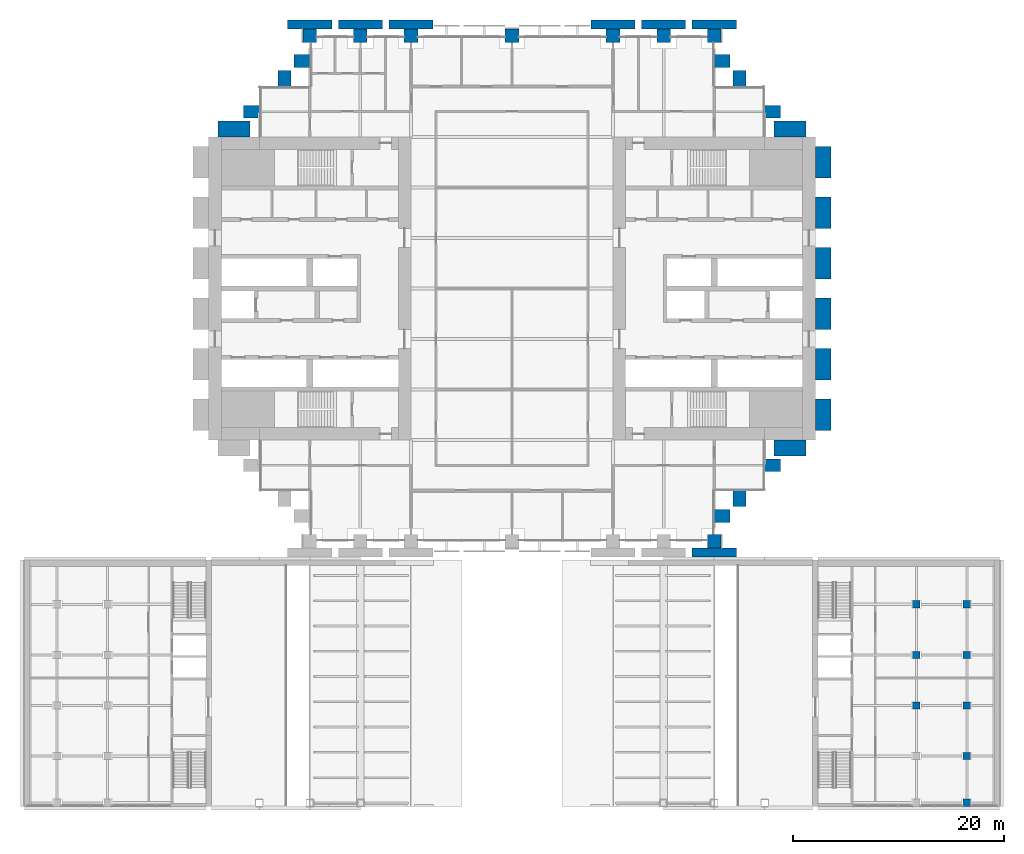
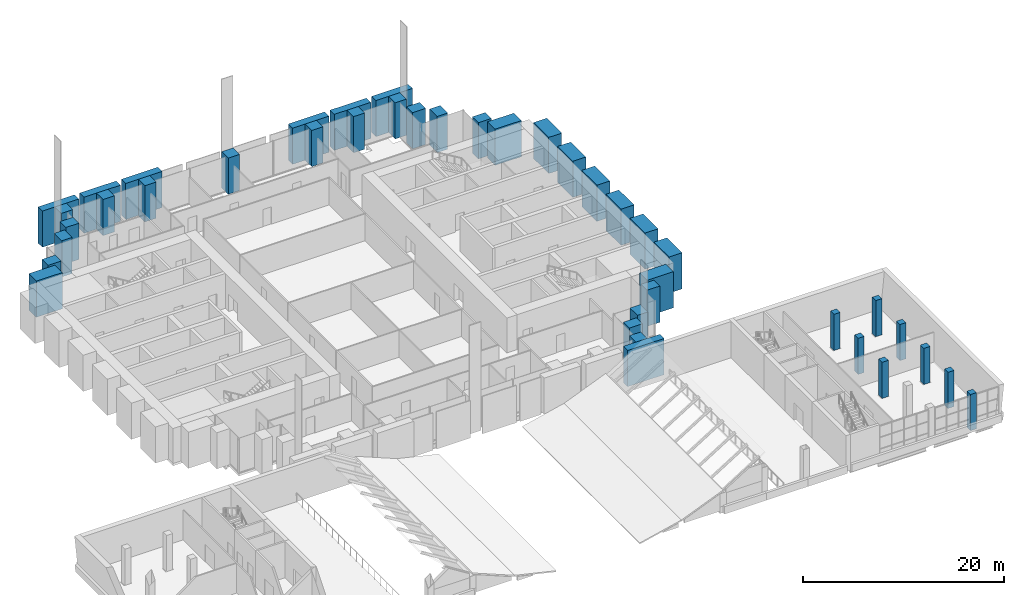
# One storey, part 2 of 32: 41 columns.
"""IFC4 building model written with IfcOpenShell, lengths in metres."""

from ifc_helpers import new_model, si_unit, direction, frame, origin, origin_2d, place, context, subcontext, project, spatial, rectangle, extrude, material, material_profile, profile_set, type_object, element, save


model = new_model("IFC4")

# Units and contexts
model_context = context("Model", 3, precision=1e-05, world=origin(), true_north=direction((0.0, 1.0)))
body_context = subcontext(model_context, "Body", "Model", "MODEL_VIEW")
ifc_project = project(units=[si_unit("LENGTHUNIT", "METRE"), si_unit("AREAUNIT", "SQUARE_METRE"), si_unit("VOLUMEUNIT", "CUBIC_METRE"), si_unit("PLANEANGLEUNIT", "RADIAN"), si_unit("MASSUNIT", "GRAM", prefix="KILO")], contexts=[model_context])

# Site, building, storey
site_placement = place(None, origin())
site = spatial("IfcSite", under=ifc_project, at=site_placement, CompositionType="ELEMENT")
building_placement = place(site_placement, origin())
building = spatial("IfcBuilding", under=site, at=building_placement, Name="Baori Bourse Tower", CompositionType="ELEMENT")
storey_placement = place(building_placement, frame((0.0, 0.0, 12.60009765625)))
storey = spatial("IfcBuildingStorey", under=building, at=storey_placement, Name="L01", CompositionType="ELEMENT", Elevation=12.60009765625)

# Columns
ifc_material_1 = material(Name="Concrete f'c 60 MPa", Category="concrete")
ifc_material_profile_1 = material_profile(ifc_material_1, rectangle(XDim=1.199951171875, YDim=1.5, at=origin_2d()), Name="RC 1200x1500")
ifc_profile_set_1 = profile_set([ifc_material_profile_1], Name="Concrete f'c 60 MPa")
column_type_1 = type_object("IfcColumnType", Name="FN2 Brick pilaster", PredefinedType="PILASTER", material=ifc_profile_set_1)
for number, where, z_axis, x_axis, name in (
    (1, (53.550048828125, 40.800048828125, 0.0), (0.0, 0.0, 1.0), (0.0, 1.0, 0.0), "Brick pilaster L01 1"),
    (2, (50.39990234375, 43.949951171875, 0.0), (0.0, 0.0, 1.0), (1.0, 0.0, 0.0), "Brick pilaster L01 2"),
    (3, (48.75, 45.60009765625, 0.0), (0.0, 0.0, 1.0), (0.0, 1.0, 0.0), "Brick pilaster L01 3"),
    (4, (8.85009765625, 45.60009765625, 0.0), (0.0, 0.0, 1.0), (0.0, 1.0, 0.0), "Brick pilaster L01 4"),
    (5, (7.199951171875, 43.949951171875, 0.0), (0.0, 0.0, 1.0), (1.0, 0.0, 0.0), "Brick pilaster L01 5"),
    (6, (4.050048828125, 40.800048828125, 0.0), (0.0, 0.0, 1.0), (0.0, 1.0, 0.0), "Brick pilaster L01 6"),
    (7, (48.75, 2.39990234375, 0.0), (0.0, 0.0, 1.0), (0.0, 1.0, 0.0), "Brick pilaster L01 10"),
    (8, (50.39990234375, 4.050048828125, 0.0), (0.0, 0.0, 1.0), (1.0, 0.0, 0.0), "Brick pilaster L01 11"),
    (9, (53.550048828125, 7.199951171875, 0.0), (0.0, 0.0, 1.0), (0.0, 1.0, 0.0), "Brick pilaster L01 12"),
):
    element("IfcColumn", number, at=place(storey_placement, frame(where, z_axis=z_axis, x_axis=x_axis)), inside=storey, type_object=column_type_1, Name=name, PredefinedType="PILASTER", context=body_context, shape_type="SweptSolid", body=[
        extrude(rectangle(XDim=1.199951171875, YDim=1.5, at=origin_2d()), origin(), (0.0, 0.0, 1.0), 4.39990234375),
    ])
ifc_material_2 = material(Name="Concrete f'c 60 MPa", Category="concrete")
ifc_material_profile_2 = material_profile(ifc_material_2, rectangle(XDim=4.199951171875, YDim=0.85009765625, at=origin_2d()), Name="RC 4200x850")
ifc_profile_set_2 = profile_set([ifc_material_profile_2], Name="Concrete f'c 60 MPa")
column_type_2 = type_object("IfcColumnType", Name="FN3 Brick pilaster 4200x850", PredefinedType="PILASTER", material=ifc_profile_set_2)
for number, where, z_axis, x_axis, name in (
    (10, (48.0, -1.074951171875, 0.0), (0.0, 0.0, 1.0), (1.0, 0.0, 0.0), "Brick pilaster L01 34"),
    (11, (9.60009765625, 49.074951171875, 0.0), (0.0, 0.0, 1.0), (1.0, 0.0, 0.0), "Brick pilaster L01 35"),
    (12, (14.39990234375, 49.074951171875, 0.0), (0.0, 0.0, 1.0), (1.0, 0.0, 0.0), "Brick pilaster L01 36"),
    (13, (19.199951171875, 49.074951171875, 0.0), (0.0, 0.0, 1.0), (1.0, 0.0, 0.0), "Brick pilaster L01 37"),
    (14, (38.39990234375, 49.074951171875, 0.0), (0.0, 0.0, 1.0), (1.0, 0.0, 0.0), "Brick pilaster L01 38"),
    (15, (43.199951171875, 49.074951171875, 0.0), (0.0, 0.0, 1.0), (1.0, 0.0, 0.0), "Brick pilaster L01 39"),
    (16, (48.0, 49.074951171875, 0.0), (0.0, 0.0, 1.0), (1.0, 0.0, 0.0), "Brick pilaster L01 40"),
):
    element("IfcColumn", number, at=place(storey_placement, frame(where, z_axis=z_axis, x_axis=x_axis)), inside=storey, type_object=column_type_2, Name=name, PredefinedType="PILASTER", context=body_context, shape_type="SweptSolid", body=[
        extrude(rectangle(XDim=4.199951171875, YDim=0.85009765625, at=origin_2d()), origin(), (0.0, 0.0, 1.0), 4.39990234375),
    ])
ifc_material_3 = material(Name="Concrete f'c 60 MPa", Category="concrete")
ifc_material_profile_3 = material_profile(ifc_material_3, rectangle(XDim=3.0, YDim=1.5, at=origin_2d()), Name="RC 3000x1500")
ifc_profile_set_3 = profile_set([ifc_material_profile_3], Name="Concrete f'c 60 MPa")
column_type_3 = type_object("IfcColumnType", Name="FN4 Brick flank pilaster 3000x1500", PredefinedType="PILASTER", material=ifc_profile_set_3)
for number, where, z_axis, x_axis, name in (
    (17, (55.199951171875, 8.85009765625, 0.0), (0.0, 0.0, 1.0), (1.0, 0.0, 0.0), "Brick pilaster L01 13"),
    (18, (58.35009765625, 12.0, 0.0), (0.0, 0.0, 1.0), (0.0, 1.0, 0.0), "Brick pilaster L01 14"),
    (19, (58.35009765625, 16.800048828125, 0.0), (0.0, 0.0, 1.0), (0.0, 1.0, 0.0), "Brick pilaster L01 15"),
    (20, (58.35009765625, 21.60009765625, 0.0), (0.0, 0.0, 1.0), (0.0, 1.0, 0.0), "Brick pilaster L01 16"),
    (21, (58.35009765625, 26.39990234375, 0.0), (0.0, 0.0, 1.0), (0.0, 1.0, 0.0), "Brick pilaster L01 17"),
    (22, (58.35009765625, 31.199951171875, 0.0), (0.0, 0.0, 1.0), (0.0, 1.0, 0.0), "Brick pilaster L01 18"),
    (23, (58.35009765625, 36.0, 0.0), (0.0, 0.0, 1.0), (0.0, 1.0, 0.0), "Brick pilaster L01 19"),
    (24, (55.199951171875, 39.14990234375, 0.0), (0.0, 0.0, 1.0), (1.0, 0.0, 0.0), "Brick pilaster L01 20"),
    (25, (2.39990234375, 39.14990234375, 0.0), (0.0, 0.0, 1.0), (1.0, 0.0, 0.0), "Brick pilaster L01 21"),
):
    element("IfcColumn", number, at=place(storey_placement, frame(where, z_axis=z_axis, x_axis=x_axis)), inside=storey, type_object=column_type_3, Name=name, PredefinedType="PILASTER", context=body_context, shape_type="SweptSolid", body=[
        extrude(rectangle(XDim=3.0, YDim=1.5, at=origin_2d()), origin(), (0.0, 0.0, 1.0), 4.39990234375),
    ])
ifc_material_4 = material(Name="Concrete f'c 70 MPa", Category="concrete")
ifc_material_profile_4 = material_profile(ifc_material_4, rectangle(XDim=1.300048828125, YDim=1.300048828125, at=origin_2d()), Name="RC 1300x1300")
ifc_profile_set_4 = profile_set([ifc_material_profile_4], Name="Concrete f'c 70 MPa")
column_type_4 = type_object("IfcColumnType", Name="Perimeter column RC 1300x1300", PredefinedType="COLUMN", material=ifc_profile_set_4)
for number, where, z_axis, x_axis, name in (
    (26, (48.0, 0.0, 0.0), (0.0, 0.0, 1.0), (1.0, 0.0, 0.0), "Perimeter column L01"),
    (27, (9.60009765625, 48.0, 0.0), (0.0, 0.0, 1.0), (1.0, 0.0, 0.0), "Perimeter column L01"),
    (28, (14.39990234375, 48.0, 0.0), (0.0, 0.0, 1.0), (1.0, 0.0, 0.0), "Perimeter column L01"),
    (29, (19.199951171875, 48.0, 0.0), (0.0, 0.0, 1.0), (1.0, 0.0, 0.0), "Perimeter column L01"),
    (30, (28.800048828125, 48.0, 0.0), (0.0, 0.0, 1.0), (1.0, 0.0, 0.0), "Perimeter column L01"),
    (31, (38.39990234375, 48.0, 0.0), (0.0, 0.0, 1.0), (1.0, 0.0, 0.0), "Perimeter column L01"),
    (32, (43.199951171875, 48.0, 0.0), (0.0, 0.0, 1.0), (1.0, 0.0, 0.0), "Perimeter column L01"),
    (33, (48.0, 48.0, 0.0), (0.0, 0.0, 1.0), (1.0, 0.0, 0.0), "Perimeter column L01"),
):
    element("IfcColumn", number, at=place(storey_placement, frame(where, z_axis=z_axis, x_axis=x_axis)), inside=storey, type_object=column_type_4, Name=name, PredefinedType="COLUMN", context=body_context, shape_type="SweptSolid", body=[
        extrude(rectangle(XDim=1.300048828125, YDim=1.300048828125, at=origin_2d()), origin(), (0.0, 0.0, 1.0), 4.39990234375),
    ])
ifc_material_5 = material(Name="Concrete f'c 50 MPa", Category="concrete")
ifc_material_profile_5 = material_profile(ifc_material_5, rectangle(XDim=0.699951171875, YDim=0.699951171875, at=origin_2d()), Name="Wing column 700")
ifc_profile_set_5 = profile_set([ifc_material_profile_5], Name="Concrete f'c 50 MPa")
column_type_5 = type_object("IfcColumnType", Name="Wing column 700", PredefinedType="COLUMN", material=ifc_profile_set_5)
for number, where, z_axis, x_axis, name in (
    (34, (72.0, -24.85009765625, 0.0), (0.0, 0.0, 1.0), (1.0, 0.0, 0.0), "wing/L01/Ecol/001"),
    (35, (72.0, -20.39990234375, 0.0), (0.0, 0.0, 1.0), (1.0, 0.0, 0.0), "wing/L01/Ecol/002"),
    (36, (72.0, -15.60009765625, 0.0), (0.0, 0.0, 1.0), (1.0, 0.0, 0.0), "wing/L01/Ecol/003"),
    (37, (72.0, -10.800048828125, 0.0), (0.0, 0.0, 1.0), (1.0, 0.0, 0.0), "wing/L01/Ecol/004"),
    (38, (72.0, -6.0, 0.0), (0.0, 0.0, 1.0), (1.0, 0.0, 0.0), "wing/L01/Ecol/005"),
    (39, (67.199951171875, -15.60009765625, 0.0), (0.0, 0.0, 1.0), (1.0, 0.0, 0.0), "wing/L01/Ecol/008"),
    (40, (67.199951171875, -10.800048828125, 0.0), (0.0, 0.0, 1.0), (1.0, 0.0, 0.0), "wing/L01/Ecol/009"),
    (41, (67.199951171875, -6.0, 0.0), (0.0, 0.0, 1.0), (1.0, 0.0, 0.0), "wing/L01/Ecol/010"),
):
    element("IfcColumn", number, at=place(storey_placement, frame(where, z_axis=z_axis, x_axis=x_axis)), inside=storey, type_object=column_type_5, Name=name, PredefinedType="COLUMN", context=body_context, shape_type="SweptSolid", body=[
        extrude(rectangle(XDim=0.699951171875, YDim=0.699951171875, at=origin_2d()), origin(), (0.0, 0.0, 1.0), 4.39990234375),
    ])

save(model, "model.ifc")
